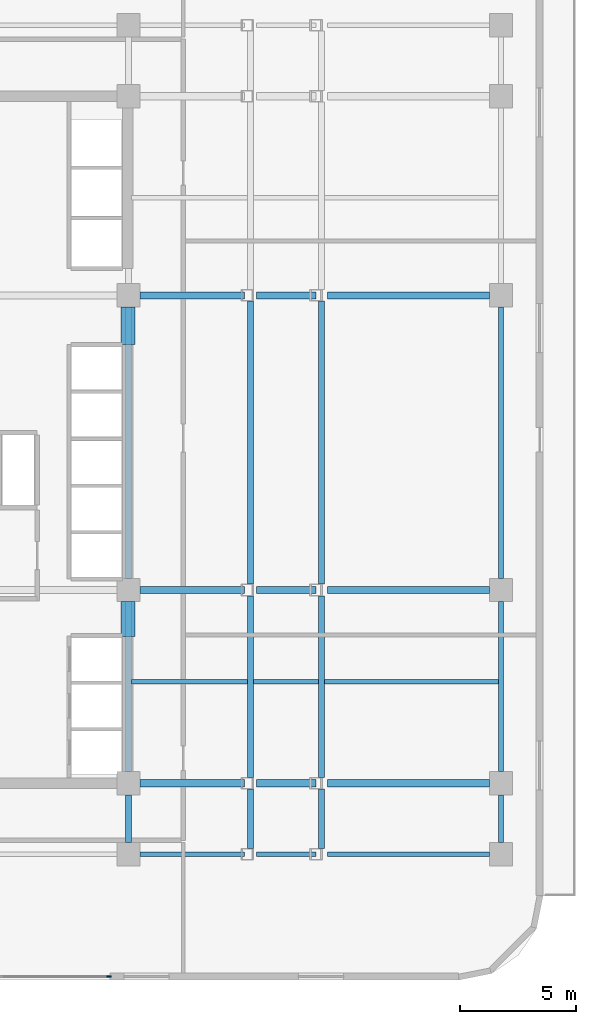
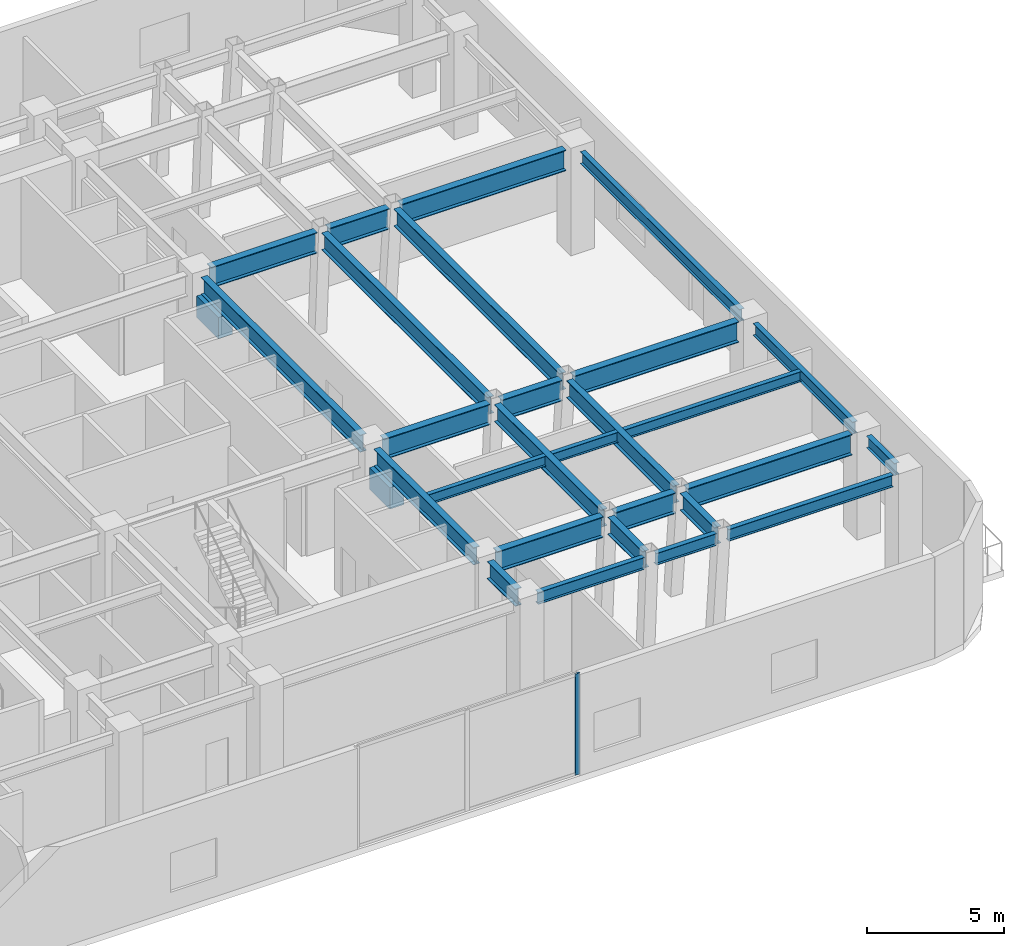
# One storey, part 4 of 12: 29 beams, 1 member, 1 element without a shape of its own.
"""IFC4 building model written with IfcOpenShell, lengths in metres."""

from ifc_helpers import new_model, si_unit, direction, frame, origin, origin_2d, place, context, subcontext, project, spatial, rectangle, i_section, extrude, material, layer, layer_set, material_profile, profile_set, type_object, element, aggregate, save


model = new_model("IFC4")

# Units and contexts
model_context = context("Model", 3, precision=1e-05, world=origin(), true_north=direction((0.0, 1.0)))
body_context = subcontext(model_context, "Body", "Model", "MODEL_VIEW")
ifc_project = project(units=[si_unit("LENGTHUNIT", "METRE"), si_unit("AREAUNIT", "SQUARE_METRE"), si_unit("VOLUMEUNIT", "CUBIC_METRE"), si_unit("PLANEANGLEUNIT", "RADIAN"), si_unit("MASSUNIT", "GRAM", prefix="KILO")], contexts=[model_context])

# Site, building, storey
site_placement = place(None, origin())
site = spatial("IfcSite", under=ifc_project, at=site_placement, CompositionType="ELEMENT")
building_placement = place(site_placement, origin())
building = spatial("IfcBuilding", under=site, at=building_placement, Name="Ochreholt Gables", CompositionType="ELEMENT")
storey_placement = place(building_placement, frame((0.0, 0.0, 9.60009765625)))
storey = spatial("IfcBuildingStorey", under=building, at=storey_placement, Name="L02", CompositionType="ELEMENT", Elevation=9.60009765625)

# Beams
ifc_material_1 = material(Name="Concrete 60 MPa", Category="concrete")
ifc_material_profile_1 = material_profile(ifc_material_1, rectangle(XDim=0.60009765625, YDim=0.949951171875, at=origin_2d()), Name="RCB600X950")
ifc_profile_set_1 = profile_set([ifc_material_profile_1], Name="Concrete 60 MPa")
beam_type_1 = type_object("IfcBeamType", Name="BM-CPL-RC600", PredefinedType="LINTEL", material=ifc_profile_set_1)
beam_1_placement = place(storey_placement, frame((35.175048828125, 15.550048828125, 3.27490234375), z_axis=(0.0, 1.0, 0.0), x_axis=(-1.0, 0.0, 0.0)))
element("IfcBeam", 1, at=beam_1_placement, inside=storey, type_object=beam_type_1, Name="L02 Core Coupling Lintel CPS", PredefinedType="LINTEL", context=body_context, shape_type="SweptSolid", body=[
    extrude(rectangle(XDim=0.60009765625, YDim=0.949951171875, at=origin_2d()), origin(), (0.0, 0.0, 1.0), 1.5),
])
beam_2_placement = place(storey_placement, frame((35.175048828125, 28.10009765625, 3.27490234375), z_axis=(0.0, 1.0, 0.0), x_axis=(-1.0, 0.0, 0.0)))
element("IfcBeam", 2, at=beam_2_placement, inside=storey, type_object=beam_type_1, Name="L02 Core Coupling Lintel CPN", PredefinedType="LINTEL", context=body_context, shape_type="SweptSolid", body=[
    extrude(rectangle(XDim=0.60009765625, YDim=0.949951171875, at=origin_2d()), origin(), (0.0, 0.0, 1.0), 1.599853515625),
])
ifc_material_2 = material(Name="Steel CSA G40.21 350W", Category="steel")
ifc_material_profile_2 = material_profile(ifc_material_2, i_section(OverallWidth=0.26806640625, OverallDepth=0.77001953125, WebThickness=0.015625, FlangeThickness=0.025390625, at=origin_2d()), Name="W760X196")
ifc_profile_set_2 = profile_set([ifc_material_profile_2], Name="Steel CSA G40.21 350W")
beam_type_2 = type_object("IfcBeamType", Name="BM-G-W760", PredefinedType="BEAM", material=ifc_profile_set_2)
beam_3_placement = place(storey_placement, frame((35.199951171875, 6.69970703125, 4.135009765625), z_axis=(0.0, 1.0, 0.0), x_axis=(-1.0, 0.0, 0.0)))
element("IfcBeam", 3, at=beam_3_placement, inside=storey, type_object=beam_type_2, Name="L02 Beam BG-L02-C2-Y1Y2", PredefinedType="BEAM", context=body_context, shape_type="SweptSolid", body=[
    extrude(i_section(OverallWidth=0.26806640625, OverallDepth=0.77001953125, WebThickness=0.015625, FlangeThickness=0.025390625, at=origin_2d()), origin(), (0.0, 0.0, 1.0), 2.05078125),
])
beam_4_placement = place(storey_placement, frame((35.199951171875, 9.74951171875, 4.135009765625), z_axis=(0.0, 1.0, 0.0), x_axis=(-1.0, 0.0, 0.0)))
element("IfcBeam", 4, at=beam_4_placement, inside=storey, type_object=beam_type_2, Name="L02 Beam BG-L02-C2-Y2Y3", PredefinedType="BEAM", context=body_context, shape_type="SweptSolid", body=[
    extrude(i_section(OverallWidth=0.26806640625, OverallDepth=0.77001953125, WebThickness=0.015625, FlangeThickness=0.025390625, at=origin_2d()), origin(), (0.0, 0.0, 1.0), 7.30078125),
])
beam_5_placement = place(storey_placement, frame((35.199951171875, 18.049560546875, 4.135009765625), z_axis=(0.0, 1.0, 0.0), x_axis=(-1.0, 0.0, 0.0)))
element("IfcBeam", 5, at=beam_5_placement, inside=storey, type_object=beam_type_2, Name="L02 Beam BG-L02-C2-Y3Y4", PredefinedType="BEAM", context=body_context, shape_type="SweptSolid", body=[
    extrude(i_section(OverallWidth=0.26806640625, OverallDepth=0.77001953125, WebThickness=0.015625, FlangeThickness=0.025390625, at=origin_2d()), origin(), (0.0, 0.0, 1.0), 11.65087890625),
])
beam_6_placement = place(storey_placement, frame((40.43994140625, 6.44970703125, 4.135009765625), z_axis=(0.0, 1.0, 0.0), x_axis=(-1.0, 0.0, 0.0)))
element("IfcBeam", 6, at=beam_6_placement, inside=storey, type_object=beam_type_2, Name="L02 Beam BG-L02-EM-Y1Y2", PredefinedType="BEAM", context=body_context, shape_type="SweptSolid", body=[
    extrude(i_section(OverallWidth=0.26806640625, OverallDepth=0.77001953125, WebThickness=0.015625, FlangeThickness=0.025390625, at=origin_2d()), origin(), (0.0, 0.0, 1.0), 2.55078125),
])
beam_7_placement = place(storey_placement, frame((40.43994140625, 9.49951171875, 4.135009765625), z_axis=(0.0, 1.0, 0.0), x_axis=(-1.0, 0.0, 0.0)))
element("IfcBeam", 7, at=beam_7_placement, inside=storey, type_object=beam_type_2, Name="L02 Beam BG-L02-EM-Y2Y3", PredefinedType="BEAM", context=body_context, shape_type="SweptSolid", body=[
    extrude(i_section(OverallWidth=0.26806640625, OverallDepth=0.77001953125, WebThickness=0.015625, FlangeThickness=0.025390625, at=origin_2d()), origin(), (0.0, 0.0, 1.0), 7.80078125),
])
beam_8_placement = place(storey_placement, frame((40.43994140625, 17.799560546875, 4.135009765625), z_axis=(0.0, 1.0, 0.0), x_axis=(-1.0, 0.0, 0.0)))
element("IfcBeam", 8, at=beam_8_placement, inside=storey, type_object=beam_type_2, Name="L02 Beam BG-L02-EM-Y3Y4", PredefinedType="BEAM", context=body_context, shape_type="SweptSolid", body=[
    extrude(i_section(OverallWidth=0.26806640625, OverallDepth=0.77001953125, WebThickness=0.015625, FlangeThickness=0.025390625, at=origin_2d()), origin(), (0.0, 0.0, 1.0), 12.15087890625),
])
beam_9_placement = place(storey_placement, frame((43.491943359375, 6.44970703125, 4.135009765625), z_axis=(0.0, 1.0, 0.0), x_axis=(-1.0, 0.0, 0.0)))
element("IfcBeam", 9, at=beam_9_placement, inside=storey, type_object=beam_type_2, Name="L02 Beam BG-L02-EE-Y1Y2", PredefinedType="BEAM", context=body_context, shape_type="SweptSolid", body=[
    extrude(i_section(OverallWidth=0.26806640625, OverallDepth=0.77001953125, WebThickness=0.015625, FlangeThickness=0.025390625, at=origin_2d()), origin(), (0.0, 0.0, 1.0), 2.55078125),
])
beam_10_placement = place(storey_placement, frame((43.491943359375, 9.49951171875, 4.135009765625), z_axis=(0.0, 1.0, 0.0), x_axis=(-1.0, 0.0, 0.0)))
element("IfcBeam", 10, at=beam_10_placement, inside=storey, type_object=beam_type_2, Name="L02 Beam BG-L02-EE-Y2Y3", PredefinedType="BEAM", context=body_context, shape_type="SweptSolid", body=[
    extrude(i_section(OverallWidth=0.26806640625, OverallDepth=0.77001953125, WebThickness=0.015625, FlangeThickness=0.025390625, at=origin_2d()), origin(), (0.0, 0.0, 1.0), 7.80078125),
])
beam_11_placement = place(storey_placement, frame((43.491943359375, 17.799560546875, 4.135009765625), z_axis=(0.0, 1.0, 0.0), x_axis=(-1.0, 0.0, 0.0)))
element("IfcBeam", 11, at=beam_11_placement, inside=storey, type_object=beam_type_2, Name="L02 Beam BG-L02-EE-Y3Y4", PredefinedType="BEAM", context=body_context, shape_type="SweptSolid", body=[
    extrude(i_section(OverallWidth=0.26806640625, OverallDepth=0.77001953125, WebThickness=0.015625, FlangeThickness=0.025390625, at=origin_2d()), origin(), (0.0, 0.0, 1.0), 12.15087890625),
])
ifc_material_profile_3 = material_profile(ifc_material_2, i_section(OverallWidth=0.30810546875, OverallDepth=0.927001953125, WebThickness=0.019287109375, FlangeThickness=0.031982421875, at=origin_2d()), Name="W920X289")
ifc_profile_set_3 = profile_set([ifc_material_profile_3], Name="Steel CSA G40.21 350W")
beam_type_3 = type_object("IfcBeamType", Name="BM-G-W920", PredefinedType="BEAM", material=ifc_profile_set_3)
beam_12_placement = place(storey_placement, frame((35.69970703125, 9.25, 4.056396484375), z_axis=(1.0, 0.0, 0.0), x_axis=(0.0, 1.0, 0.0)))
element("IfcBeam", 12, at=beam_12_placement, inside=storey, type_object=beam_type_3, Name="L02 Beam BG-L02-C2EM-Y2", PredefinedType="BEAM", context=body_context, shape_type="SweptSolid", body=[
    extrude(i_section(OverallWidth=0.30810546875, OverallDepth=0.927001953125, WebThickness=0.019287109375, FlangeThickness=0.031982421875, at=origin_2d()), origin(), (0.0, 0.0, 1.0), 4.49072265625),
])
beam_13_placement = place(storey_placement, frame((40.689697265625, 9.25, 4.056396484375), z_axis=(1.0, 0.0, 0.0), x_axis=(0.0, 1.0, 0.0)))
element("IfcBeam", 13, at=beam_13_placement, inside=storey, type_object=beam_type_3, Name="L02 Beam BG-L02-EMEE-Y2", PredefinedType="BEAM", context=body_context, shape_type="SweptSolid", body=[
    extrude(i_section(OverallWidth=0.30810546875, OverallDepth=0.927001953125, WebThickness=0.019287109375, FlangeThickness=0.031982421875, at=origin_2d()), origin(), (0.0, 0.0, 1.0), 2.552734375),
])
beam_14_placement = place(storey_placement, frame((43.74169921875, 9.25, 4.056396484375), z_axis=(1.0, 0.0, 0.0), x_axis=(0.0, 1.0, 0.0)))
element("IfcBeam", 14, at=beam_14_placement, inside=storey, type_object=beam_type_3, Name="L02 Beam BG-L02-EEE3-Y2", PredefinedType="BEAM", context=body_context, shape_type="SweptSolid", body=[
    extrude(i_section(OverallWidth=0.30810546875, OverallDepth=0.927001953125, WebThickness=0.019287109375, FlangeThickness=0.031982421875, at=origin_2d()), origin(), (0.0, 0.0, 1.0), 6.958740234375),
])
beam_15_placement = place(storey_placement, frame((35.69970703125, 17.550048828125, 4.056396484375), z_axis=(1.0, 0.0, 0.0), x_axis=(0.0, 1.0, 0.0)))
element("IfcBeam", 15, at=beam_15_placement, inside=storey, type_object=beam_type_3, Name="L02 Beam BG-L02-C2EM-Y3", PredefinedType="BEAM", context=body_context, shape_type="SweptSolid", body=[
    extrude(i_section(OverallWidth=0.30810546875, OverallDepth=0.927001953125, WebThickness=0.019287109375, FlangeThickness=0.031982421875, at=origin_2d()), origin(), (0.0, 0.0, 1.0), 4.49072265625),
])
beam_16_placement = place(storey_placement, frame((40.689697265625, 17.550048828125, 4.056396484375), z_axis=(1.0, 0.0, 0.0), x_axis=(0.0, 1.0, 0.0)))
element("IfcBeam", 16, at=beam_16_placement, inside=storey, type_object=beam_type_3, Name="L02 Beam BG-L02-EMEE-Y3", PredefinedType="BEAM", context=body_context, shape_type="SweptSolid", body=[
    extrude(i_section(OverallWidth=0.30810546875, OverallDepth=0.927001953125, WebThickness=0.019287109375, FlangeThickness=0.031982421875, at=origin_2d()), origin(), (0.0, 0.0, 1.0), 2.552734375),
])
beam_17_placement = place(storey_placement, frame((43.74169921875, 17.550048828125, 4.056396484375), z_axis=(1.0, 0.0, 0.0), x_axis=(0.0, 1.0, 0.0)))
element("IfcBeam", 17, at=beam_17_placement, inside=storey, type_object=beam_type_3, Name="L02 Beam BG-L02-EEE3-Y3", PredefinedType="BEAM", context=body_context, shape_type="SweptSolid", body=[
    extrude(i_section(OverallWidth=0.30810546875, OverallDepth=0.927001953125, WebThickness=0.019287109375, FlangeThickness=0.031982421875, at=origin_2d()), origin(), (0.0, 0.0, 1.0), 6.958740234375),
])
beam_18_placement = place(storey_placement, frame((35.69970703125, 30.199951171875, 4.056396484375), z_axis=(1.0, 0.0, 0.0), x_axis=(0.0, 1.0, 0.0)))
element("IfcBeam", 18, at=beam_18_placement, inside=storey, type_object=beam_type_3, Name="L02 Beam BG-L02-C2EM-Y4", PredefinedType="BEAM", context=body_context, shape_type="SweptSolid", body=[
    extrude(i_section(OverallWidth=0.30810546875, OverallDepth=0.927001953125, WebThickness=0.019287109375, FlangeThickness=0.031982421875, at=origin_2d()), origin(), (0.0, 0.0, 1.0), 4.49072265625),
])
beam_19_placement = place(storey_placement, frame((40.689697265625, 30.199951171875, 4.056396484375), z_axis=(1.0, 0.0, 0.0), x_axis=(0.0, 1.0, 0.0)))
element("IfcBeam", 19, at=beam_19_placement, inside=storey, type_object=beam_type_3, Name="L02 Beam BG-L02-EMEE-Y4", PredefinedType="BEAM", context=body_context, shape_type="SweptSolid", body=[
    extrude(i_section(OverallWidth=0.30810546875, OverallDepth=0.927001953125, WebThickness=0.019287109375, FlangeThickness=0.031982421875, at=origin_2d()), origin(), (0.0, 0.0, 1.0), 2.552734375),
])
beam_20_placement = place(storey_placement, frame((43.74169921875, 30.199951171875, 4.056396484375), z_axis=(1.0, 0.0, 0.0), x_axis=(0.0, 1.0, 0.0)))
element("IfcBeam", 20, at=beam_20_placement, inside=storey, type_object=beam_type_3, Name="L02 Beam BG-L02-EEE3-Y4", PredefinedType="BEAM", context=body_context, shape_type="SweptSolid", body=[
    extrude(i_section(OverallWidth=0.30810546875, OverallDepth=0.927001953125, WebThickness=0.019287109375, FlangeThickness=0.031982421875, at=origin_2d()), origin(), (0.0, 0.0, 1.0), 6.958740234375),
])
ifc_material_profile_4 = material_profile(ifc_material_2, i_section(OverallWidth=0.18994140625, OverallDepth=0.45703125, WebThickness=0.009033203125, FlangeThickness=0.014404296875, at=origin_2d()), Name="W460X74")
ifc_profile_set_4 = profile_set([ifc_material_profile_4], Name="Steel CSA G40.21 350W")
beam_type_4 = type_object("IfcBeamType", Name="BM-J-W460B", PredefinedType="JOIST", material=ifc_profile_set_4)
beam_21_placement = place(storey_placement, frame((35.33349609375, 13.60009765625, 4.29150390625), z_axis=(1.0, 0.0, 0.0), x_axis=(0.0, 1.0, 0.0)))
element("IfcBeam", 21, at=beam_21_placement, inside=storey, type_object=beam_type_4, Name="L02 Beam BJ-L02-J1-C2EM", PredefinedType="JOIST", context=body_context, shape_type="SweptSolid", body=[
    extrude(i_section(OverallWidth=0.18994140625, OverallDepth=0.45703125, WebThickness=0.009033203125, FlangeThickness=0.014404296875, at=origin_2d()), origin(), (0.0, 0.0, 1.0), 4.972900390625),
])
beam_22_placement = place(storey_placement, frame((40.573486328125, 13.60009765625, 4.29150390625), z_axis=(1.0, 0.0, 0.0), x_axis=(0.0, 1.0, 0.0)))
element("IfcBeam", 22, at=beam_22_placement, inside=storey, type_object=beam_type_4, Name="L02 Beam BJ-L02-J1-EMEE", PredefinedType="JOIST", context=body_context, shape_type="SweptSolid", body=[
    extrude(i_section(OverallWidth=0.18994140625, OverallDepth=0.45703125, WebThickness=0.009033203125, FlangeThickness=0.014404296875, at=origin_2d()), origin(), (0.0, 0.0, 1.0), 2.784912109375),
])
beam_23_placement = place(storey_placement, frame((43.62548828125, 13.60009765625, 4.29150390625), z_axis=(1.0, 0.0, 0.0), x_axis=(0.0, 1.0, 0.0)))
element("IfcBeam", 23, at=beam_23_placement, inside=storey, type_object=beam_type_4, Name="L02 Beam BJ-L02-J1-EEE3", PredefinedType="JOIST", context=body_context, shape_type="SweptSolid", body=[
    extrude(i_section(OverallWidth=0.18994140625, OverallDepth=0.45703125, WebThickness=0.009033203125, FlangeThickness=0.014404296875, at=origin_2d()), origin(), (0.0, 0.0, 1.0), 7.470458984375),
])
ifc_material_profile_5 = material_profile(ifc_material_2, i_section(OverallWidth=0.208984375, OverallDepth=0.532958984375, WebThickness=0.01025390625, FlangeThickness=0.015625, at=origin_2d()), Name="W530X92")
ifc_profile_set_5 = profile_set([ifc_material_profile_5], Name="Steel CSA G40.21 350W")
beam_type_5 = type_object("IfcBeamType", Name="BM-SP-W530B", PredefinedType="SPANDREL", material=ifc_profile_set_5)
beam_24_placement = place(storey_placement, frame((35.69970703125, 6.199951171875, 4.25341796875), z_axis=(1.0, 0.0, 0.0), x_axis=(0.0, 1.0, 0.0)))
element("IfcBeam", 24, at=beam_24_placement, inside=storey, type_object=beam_type_5, Name="L02 Beam BG-L02-C2EM-Y1", PredefinedType="SPANDREL", context=body_context, shape_type="SweptSolid", body=[
    extrude(i_section(OverallWidth=0.208984375, OverallDepth=0.532958984375, WebThickness=0.01025390625, FlangeThickness=0.015625, at=origin_2d()), origin(), (0.0, 0.0, 1.0), 4.49072265625),
])
beam_25_placement = place(storey_placement, frame((40.689697265625, 6.199951171875, 4.25341796875), z_axis=(1.0, 0.0, 0.0), x_axis=(0.0, 1.0, 0.0)))
element("IfcBeam", 25, at=beam_25_placement, inside=storey, type_object=beam_type_5, Name="L02 Beam BG-L02-EMEE-Y1", PredefinedType="SPANDREL", context=body_context, shape_type="SweptSolid", body=[
    extrude(i_section(OverallWidth=0.208984375, OverallDepth=0.532958984375, WebThickness=0.01025390625, FlangeThickness=0.015625, at=origin_2d()), origin(), (0.0, 0.0, 1.0), 2.552734375),
])
beam_26_placement = place(storey_placement, frame((43.74169921875, 6.199951171875, 4.25341796875), z_axis=(1.0, 0.0, 0.0), x_axis=(0.0, 1.0, 0.0)))
element("IfcBeam", 26, at=beam_26_placement, inside=storey, type_object=beam_type_5, Name="L02 Beam BG-L02-EEE3-Y1", PredefinedType="SPANDREL", context=body_context, shape_type="SweptSolid", body=[
    extrude(i_section(OverallWidth=0.208984375, OverallDepth=0.532958984375, WebThickness=0.01025390625, FlangeThickness=0.015625, at=origin_2d()), origin(), (0.0, 0.0, 1.0), 6.958740234375),
])
beam_27_placement = place(storey_placement, frame((51.199951171875, 6.69970703125, 4.25341796875), z_axis=(0.0, 1.0, 0.0), x_axis=(-1.0, 0.0, 0.0)))
element("IfcBeam", 27, at=beam_27_placement, inside=storey, type_object=beam_type_5, Name="L02 Beam BG-L02-E3-Y1Y2", PredefinedType="SPANDREL", context=body_context, shape_type="SweptSolid", body=[
    extrude(i_section(OverallWidth=0.208984375, OverallDepth=0.532958984375, WebThickness=0.01025390625, FlangeThickness=0.015625, at=origin_2d()), origin(), (0.0, 0.0, 1.0), 2.05078125),
])
beam_28_placement = place(storey_placement, frame((51.199951171875, 9.74951171875, 4.25341796875), z_axis=(0.0, 1.0, 0.0), x_axis=(-1.0, 0.0, 0.0)))
element("IfcBeam", 28, at=beam_28_placement, inside=storey, type_object=beam_type_5, Name="L02 Beam BG-L02-E3-Y2Y3", PredefinedType="SPANDREL", context=body_context, shape_type="SweptSolid", body=[
    extrude(i_section(OverallWidth=0.208984375, OverallDepth=0.532958984375, WebThickness=0.01025390625, FlangeThickness=0.015625, at=origin_2d()), origin(), (0.0, 0.0, 1.0), 7.30078125),
])
beam_29_placement = place(storey_placement, frame((51.199951171875, 18.049560546875, 4.25341796875), z_axis=(0.0, 1.0, 0.0), x_axis=(-1.0, 0.0, 0.0)))
element("IfcBeam", 29, at=beam_29_placement, inside=storey, type_object=beam_type_5, Name="L02 Beam BG-L02-E3-Y3Y4", PredefinedType="SPANDREL", context=body_context, shape_type="SweptSolid", body=[
    extrude(i_section(OverallWidth=0.208984375, OverallDepth=0.532958984375, WebThickness=0.01025390625, FlangeThickness=0.015625, at=origin_2d()), origin(), (0.0, 0.0, 1.0), 11.65087890625),
])

# Curtain wall, member
ifc_material_3 = material(Name="Unitised Aluminium and Triple Glazing", Category="aluminium")
ifc_layer = layer(ifc_material_3, 0.199951171875, Name="Unitised Aluminium and Triple Glazing")
ifc_layer_set = layer_set([ifc_layer], Name="Unitised Aluminium and Triple Glazing")
curtain_wall_type = type_object("IfcCurtainWallType", Name="CW-SYS1", PredefinedType="NOTDEFINED", material=ifc_layer_set)
curtain_wall_placement = place(storey_placement, origin())
curtain_wall = element("IfcCurtainWall", 30, at=curtain_wall_placement, inside=storey, type_object=curtain_wall_type, Name="L02 South Unitised Curtain Wall", PredefinedType="NOTDEFINED")
ifc_material_4 = material(Name="Anodized Aluminium 6063-T6", Category="aluminium")
ifc_material_profile_6 = material_profile(ifc_material_4, rectangle(XDim=0.074951171875, YDim=0.199951171875, at=origin_2d()), Name="CWM75X200")
ifc_profile_set_6 = profile_set([ifc_material_profile_6], Name="Anodized Aluminium 6063-T6")
member_type = type_object("IfcMemberType", Name="CW-MUL-A", PredefinedType="MULLION", material=ifc_profile_set_6)
member_placement = place(storey_placement, frame((34.362548828125, 0.945068359375, 0.0), z_axis=(0.0, 0.0, 1.0), x_axis=(0.0, 1.0, 0.0)))
member = element("IfcMember", 31, at=member_placement, type_object=member_type, Name="CW-1 mullion 3", PredefinedType="MULLION", context=body_context, shape_type="SweptSolid", body=[
    extrude(rectangle(XDim=0.074951171875, YDim=0.199951171875, at=origin_2d()), origin(), (0.0, 0.0, 1.0), 4.52001953125),
])
aggregate(curtain_wall, [member])

save(model, "model.ifc")
